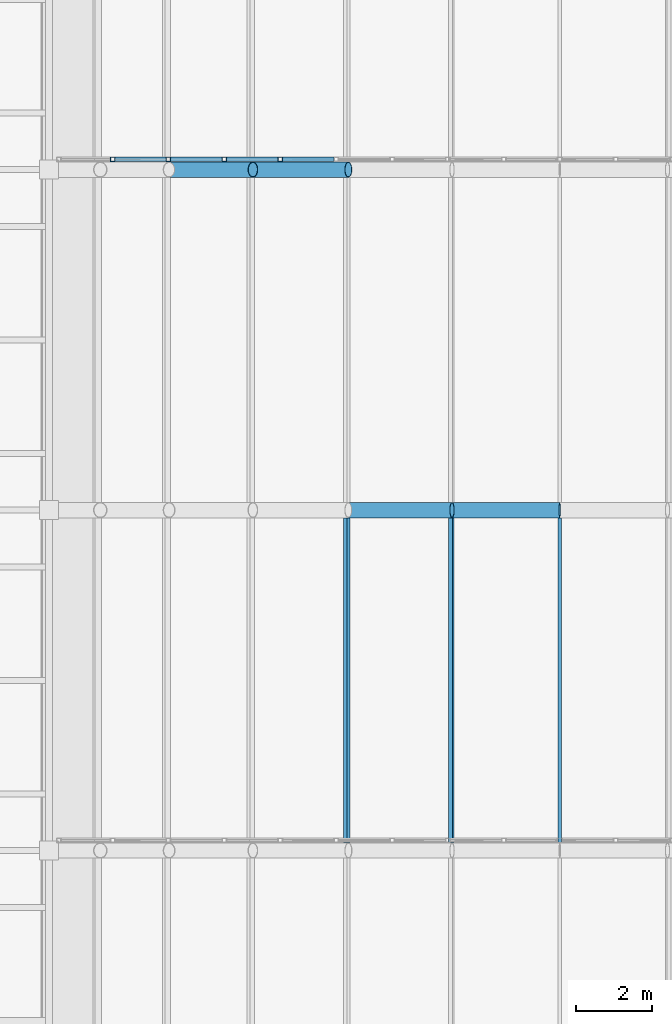
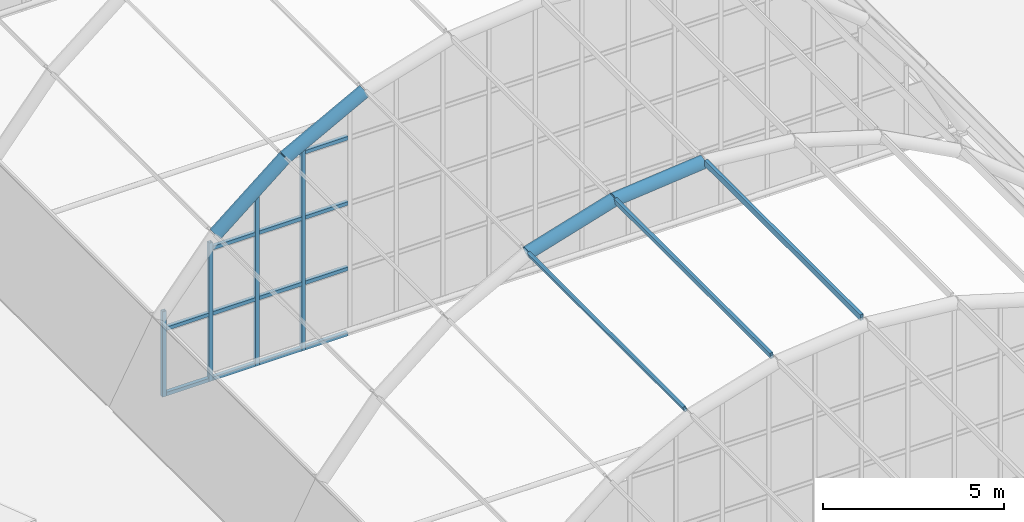
# One storey, part 33 of 121: 23 members, 1 element without a shape of its own.
"""IFC4 building model written with IfcOpenShell, lengths in metres."""

from ifc_helpers import new_model, si_unit, direction, frame, origin, origin_2d, place, context, subcontext, project, spatial, hollow_rectangle, hollow_circle, extrude, material, material_profile, profile_set, type_object, element, aggregate, save


model = new_model("IFC4")

# Units and contexts
model_context = context("Model", 3, precision=1e-05, world=origin(), true_north=direction((0.0, 1.0)))
body_context = subcontext(model_context, "Body", "Model", "MODEL_VIEW")
ifc_project = project(units=[si_unit("LENGTHUNIT", "METRE"), si_unit("AREAUNIT", "SQUARE_METRE"), si_unit("VOLUMEUNIT", "CUBIC_METRE"), si_unit("PLANEANGLEUNIT", "RADIAN"), si_unit("MASSUNIT", "GRAM", prefix="KILO")], contexts=[model_context])

# Site, building, storey
site_placement = place(None, origin())
site = spatial("IfcSite", under=ifc_project, at=site_placement, CompositionType="ELEMENT")
building_placement = place(site_placement, origin())
building = spatial("IfcBuilding", under=site, at=building_placement, Name="Golden Quay Civic Hall", CompositionType="ELEMENT")
storey_placement = place(building_placement, frame((0.0, 0.0, 18.60009765625)))
storey = spatial("IfcBuildingStorey", under=building, at=storey_placement, Name="L04", CompositionType="ELEMENT", Elevation=18.60009765625)

# Curtain wall, members
ifc_material_1 = material(Name="Fire-resisting glass and steel", Category="steel")
curtain_wall_type = type_object("IfcCurtainWallType", Name="Fire-resisting glazed curtain wall EI 120", PredefinedType="NOTDEFINED", material=ifc_material_1)
curtain_wall_placement = place(storey_placement, origin())
curtain_wall = element("IfcCurtainWall", 1, at=curtain_wall_placement, inside=storey, type_object=curtain_wall_type, Name="Curtain wall tympanum fire2", PredefinedType="NOTDEFINED")
ifc_material_2 = material(Name="Steel S355", Category="steel")
ifc_material_profile_1 = material_profile(ifc_material_2, hollow_rectangle(XDim=0.1201171875, YDim=0.1201171875, WallThickness=0.008056640625, at=origin_2d()), Name="SHS 120x120x8")
ifc_profile_set_1 = profile_set([ifc_material_profile_1], Name="Steel S355")
member_type_1 = type_object("IfcMemberType", Name="Fire-resisting steel mullion SHS 120x120x8", PredefinedType="MULLION", material=ifc_profile_set_1)
member_1_placement = place(storey_placement, frame((73.677734375, 36.27001953125, -0.25), z_axis=(0.0, 0.0, 1.0), x_axis=(0.0, 1.0, 0.0)))
member_1 = element("IfcMember", 2, at=member_1_placement, type_object=member_type_1, Name="Tympanum mullion 2", PredefinedType="MULLION", context=body_context, shape_type="SweptSolid", body=[
    extrude(hollow_rectangle(XDim=0.1201171875, YDim=0.1201171875, WallThickness=0.008056640625, at=origin_2d()), origin(), (0.0, 0.0, 1.0), 2.8720703125),
])
member_2_placement = place(storey_placement, frame((75.155517578125, 36.27001953125, -0.25), z_axis=(0.0, 0.0, 1.0), x_axis=(0.0, 1.0, 0.0)))
member_2 = element("IfcMember", 3, at=member_2_placement, type_object=member_type_1, Name="Tympanum mullion 3", PredefinedType="MULLION", context=body_context, shape_type="SweptSolid", body=[
    extrude(hollow_rectangle(XDim=0.1201171875, YDim=0.1201171875, WallThickness=0.008056640625, at=origin_2d()), origin(), (0.0, 0.0, 1.0), 4.6669921875),
])
member_3_placement = place(storey_placement, frame((76.63330078125, 36.27001953125, -0.25), z_axis=(0.0, 0.0, 1.0), x_axis=(0.0, 1.0, 0.0)))
member_3 = element("IfcMember", 4, at=member_3_placement, type_object=member_type_1, Name="Tympanum mullion 4", PredefinedType="MULLION", context=body_context, shape_type="SweptSolid", body=[
    extrude(hollow_rectangle(XDim=0.1201171875, YDim=0.1201171875, WallThickness=0.008056640625, at=origin_2d()), origin(), (0.0, 0.0, 1.0), 5.964599609375),
])
member_4_placement = place(storey_placement, frame((78.111083984375, 36.27001953125, -0.25), z_axis=(0.0, 0.0, 1.0), x_axis=(0.0, 1.0, 0.0)))
member_4 = element("IfcMember", 5, at=member_4_placement, type_object=member_type_1, Name="Tympanum mullion 5", PredefinedType="MULLION", context=body_context, shape_type="SweptSolid", body=[
    extrude(hollow_rectangle(XDim=0.1201171875, YDim=0.1201171875, WallThickness=0.008056640625, at=origin_2d()), origin(), (0.0, 0.0, 1.0), 7.017333984375),
])
ifc_material_3 = material(Name="Steel S355", Category="steel")
ifc_material_profile_2 = material_profile(ifc_material_3, hollow_rectangle(XDim=0.1201171875, YDim=0.1201171875, WallThickness=0.008056640625, at=origin_2d()), Name="SHS 120x120x8")
ifc_profile_set_2 = profile_set([ifc_material_profile_2], Name="Steel S355")
member_type_2 = type_object("IfcMemberType", Name="Fire-resisting steel transom SHS 120x120x8", PredefinedType="USERDEFINED", material=ifc_profile_set_2)
member_5_placement = place(storey_placement, frame((73.73779296875, 36.27001953125, -0.190185546875), z_axis=(1.0, 0.0, 0.0), x_axis=(0.0, 1.0, 0.0)))
member_5 = element("IfcMember", 6, at=member_5_placement, type_object=member_type_2, Name="Tympanum transom 2.1", ObjectType="TRANSOM", PredefinedType="USERDEFINED", context=body_context, shape_type="SweptSolid", body=[
    extrude(hollow_rectangle(XDim=0.1201171875, YDim=0.1201171875, WallThickness=0.008056640625, at=origin_2d()), origin(), (0.0, 0.0, 1.0), 1.357666015625),
])
member_6_placement = place(storey_placement, frame((73.73779296875, 36.27001953125, 2.010009765625), z_axis=(1.0, 0.0, 0.0), x_axis=(0.0, 1.0, 0.0)))
member_6 = element("IfcMember", 7, at=member_6_placement, type_object=member_type_2, Name="Tympanum transom 2.2", ObjectType="TRANSOM", PredefinedType="USERDEFINED", context=body_context, shape_type="SweptSolid", body=[
    extrude(hollow_rectangle(XDim=0.1201171875, YDim=0.1201171875, WallThickness=0.008056640625, at=origin_2d()), origin(), (0.0, 0.0, 1.0), 1.357666015625),
])
member_7_placement = place(storey_placement, frame((75.215576171875, 36.27001953125, -0.190185546875), z_axis=(1.0, 0.0, 0.0), x_axis=(0.0, 1.0, 0.0)))
member_7 = element("IfcMember", 8, at=member_7_placement, type_object=member_type_2, Name="Tympanum transom 3.1", ObjectType="TRANSOM", PredefinedType="USERDEFINED", context=body_context, shape_type="SweptSolid", body=[
    extrude(hollow_rectangle(XDim=0.1201171875, YDim=0.1201171875, WallThickness=0.008056640625, at=origin_2d()), origin(), (0.0, 0.0, 1.0), 1.357666015625),
])
member_8_placement = place(storey_placement, frame((75.215576171875, 36.27001953125, 2.010009765625), z_axis=(1.0, 0.0, 0.0), x_axis=(0.0, 1.0, 0.0)))
member_8 = element("IfcMember", 9, at=member_8_placement, type_object=member_type_2, Name="Tympanum transom 3.2", ObjectType="TRANSOM", PredefinedType="USERDEFINED", context=body_context, shape_type="SweptSolid", body=[
    extrude(hollow_rectangle(XDim=0.1201171875, YDim=0.1201171875, WallThickness=0.008056640625, at=origin_2d()), origin(), (0.0, 0.0, 1.0), 1.357666015625),
])
member_9_placement = place(storey_placement, frame((75.215576171875, 36.27001953125, 4.2099609375), z_axis=(1.0, 0.0, 0.0), x_axis=(0.0, 1.0, 0.0)))
member_9 = element("IfcMember", 10, at=member_9_placement, type_object=member_type_2, Name="Tympanum transom 3.3", ObjectType="TRANSOM", PredefinedType="USERDEFINED", context=body_context, shape_type="SweptSolid", body=[
    extrude(hollow_rectangle(XDim=0.1201171875, YDim=0.1201171875, WallThickness=0.008056640625, at=origin_2d()), origin(), (0.0, 0.0, 1.0), 1.357666015625),
])
member_10_placement = place(storey_placement, frame((76.693359375, 36.27001953125, -0.190185546875), z_axis=(1.0, 0.0, 0.0), x_axis=(0.0, 1.0, 0.0)))
member_10 = element("IfcMember", 11, at=member_10_placement, type_object=member_type_2, Name="Tympanum transom 4.1", ObjectType="TRANSOM", PredefinedType="USERDEFINED", context=body_context, shape_type="SweptSolid", body=[
    extrude(hollow_rectangle(XDim=0.1201171875, YDim=0.1201171875, WallThickness=0.008056640625, at=origin_2d()), origin(), (0.0, 0.0, 1.0), 1.357666015625),
])
member_11_placement = place(storey_placement, frame((76.693359375, 36.27001953125, 2.010009765625), z_axis=(1.0, 0.0, 0.0), x_axis=(0.0, 1.0, 0.0)))
member_11 = element("IfcMember", 12, at=member_11_placement, type_object=member_type_2, Name="Tympanum transom 4.2", ObjectType="TRANSOM", PredefinedType="USERDEFINED", context=body_context, shape_type="SweptSolid", body=[
    extrude(hollow_rectangle(XDim=0.1201171875, YDim=0.1201171875, WallThickness=0.008056640625, at=origin_2d()), origin(), (0.0, 0.0, 1.0), 1.357666015625),
])
member_12_placement = place(storey_placement, frame((76.693359375, 36.27001953125, 4.2099609375), z_axis=(1.0, 0.0, 0.0), x_axis=(0.0, 1.0, 0.0)))
member_12 = element("IfcMember", 13, at=member_12_placement, type_object=member_type_2, Name="Tympanum transom 4.3", ObjectType="TRANSOM", PredefinedType="USERDEFINED", context=body_context, shape_type="SweptSolid", body=[
    extrude(hollow_rectangle(XDim=0.1201171875, YDim=0.1201171875, WallThickness=0.008056640625, at=origin_2d()), origin(), (0.0, 0.0, 1.0), 1.357666015625),
])
member_13_placement = place(storey_placement, frame((78.171142578125, 36.27001953125, -0.190185546875), z_axis=(1.0, 0.0, 0.0), x_axis=(0.0, 1.0, 0.0)))
member_13 = element("IfcMember", 14, at=member_13_placement, type_object=member_type_2, Name="Tympanum transom 5.1", ObjectType="TRANSOM", PredefinedType="USERDEFINED", context=body_context, shape_type="SweptSolid", body=[
    extrude(hollow_rectangle(XDim=0.1201171875, YDim=0.1201171875, WallThickness=0.008056640625, at=origin_2d()), origin(), (0.0, 0.0, 1.0), 1.357666015625),
])
member_14_placement = place(storey_placement, frame((78.171142578125, 36.27001953125, 2.010009765625), z_axis=(1.0, 0.0, 0.0), x_axis=(0.0, 1.0, 0.0)))
member_14 = element("IfcMember", 15, at=member_14_placement, type_object=member_type_2, Name="Tympanum transom 5.2", ObjectType="TRANSOM", PredefinedType="USERDEFINED", context=body_context, shape_type="SweptSolid", body=[
    extrude(hollow_rectangle(XDim=0.1201171875, YDim=0.1201171875, WallThickness=0.008056640625, at=origin_2d()), origin(), (0.0, 0.0, 1.0), 1.357666015625),
])
member_15_placement = place(storey_placement, frame((78.171142578125, 36.27001953125, 4.2099609375), z_axis=(1.0, 0.0, 0.0), x_axis=(0.0, 1.0, 0.0)))
member_15 = element("IfcMember", 16, at=member_15_placement, type_object=member_type_2, Name="Tympanum transom 5.3", ObjectType="TRANSOM", PredefinedType="USERDEFINED", context=body_context, shape_type="SweptSolid", body=[
    extrude(hollow_rectangle(XDim=0.1201171875, YDim=0.1201171875, WallThickness=0.008056640625, at=origin_2d()), origin(), (0.0, 0.0, 1.0), 1.357666015625),
])
member_16_placement = place(storey_placement, frame((78.171142578125, 36.27001953125, 6.409912109375), z_axis=(1.0, 0.0, 0.0), x_axis=(0.0, 1.0, 0.0)))
member_16 = element("IfcMember", 17, at=member_16_placement, type_object=member_type_2, Name="Tympanum transom 5.4", ObjectType="TRANSOM", PredefinedType="USERDEFINED", context=body_context, shape_type="SweptSolid", body=[
    extrude(hollow_rectangle(XDim=0.1201171875, YDim=0.1201171875, WallThickness=0.008056640625, at=origin_2d()), origin(), (0.0, 0.0, 1.0), 1.357666015625),
])
aggregate(curtain_wall, [member_1, member_2, member_3, member_4, member_5, member_6, member_7, member_8, member_9, member_10, member_11, member_12, member_13, member_14, member_15, member_16])

# Members
ifc_material_4 = material(Name="Steel S355", Category="steel")
ifc_material_profile_3 = material_profile(ifc_material_4, hollow_circle(Radius=0.203125, WallThickness=0.01611328125, at=origin_2d()), Name="CHS 406.4x16")
ifc_profile_set_3 = profile_set([ifc_material_profile_3], Name="Steel S355")
member_type_3 = type_object("IfcMemberType", Name="Steel arch rib CHS 406.4x16", PredefinedType="USERDEFINED", material=ifc_profile_set_3)
member_17_placement = place(storey_placement, frame((79.91259765625, 27.0, 7.990478515625), z_axis=(0.957095401463, 0.0, 0.289773001673), x_axis=(0.0, 1.0, 0.0)))
element("IfcMember", 18, at=member_17_placement, inside=storey, type_object=member_type_3, Name="Arch rib 4 segment 5", ObjectType="ARCH RIB", PredefinedType="USERDEFINED", context=body_context, shape_type="SweptSolid", body=[
    extrude(hollow_circle(Radius=0.203125, WallThickness=0.01611328125, at=origin_2d()), origin(), (0.0, 0.0, 1.0), 2.862060546875),
])
for number, where, z_axis, x_axis, name in (
    (19, (82.65185546875, 27.0, 8.81982421875), (0.995201360973, 0.0, 0.097848102266), (0.0, 1.0, 0.0), "Arch rib 4 segment 6"),
    (20, (75.173095703125, 36.0, 4.830810546875), (0.773786223221, 0.0, 0.633446825514), (0.0, 1.0, 0.0), "Arch rib 5 segment 3"),
    (21, (77.387451171875, 36.0, 6.6435546875), (0.882326964097, 0.0, 0.470636939082), (0.0, 1.0, 0.0), "Arch rib 5 segment 4"),
):
    element("IfcMember", number, at=place(storey_placement, frame(where, z_axis=z_axis, x_axis=x_axis)), inside=storey, type_object=member_type_3, Name=name, ObjectType="ARCH RIB", PredefinedType="USERDEFINED", context=body_context, shape_type="SweptSolid", body=[
        extrude(hollow_circle(Radius=0.203125, WallThickness=0.01611328125, at=origin_2d()), origin(), (0.0, 0.0, 1.0), 2.86181640625),
    ])
ifc_material_5 = material(Name="Steel S355", Category="steel")
ifc_material_profile_4 = material_profile(ifc_material_5, hollow_rectangle(XDim=0.10009765625, YDim=0.199951171875, WallThickness=0.008056640625, at=origin_2d()), Name="RHS 200x100x8")
ifc_profile_set_4 = profile_set([ifc_material_profile_4], Name="Steel S355")
member_type_4 = type_object("IfcMemberType", Name="Steel purlin RHS 200x100x8", PredefinedType="PURLIN", material=ifc_profile_set_4)
for number, where, z_axis, x_axis, name in (
    (22, (79.873291015625, 18.203125, 8.0859375), (0.0, 1.0, 0.0), (-0.924146170615, 0.0, -0.382039075668), "Purlin 3.5"),
    (23, (82.631591796875, 18.203125, 8.921142578125), (0.0, 1.0, 0.0), (-0.98085324351, 0.0, -0.194748336824), "Purlin 3.6"),
    (24, (85.5, 18.203125, 9.203125), (0.0, 1.0, 0.0), (-1.0, 0.0, 0.0), "Purlin 3.7"),
):
    element("IfcMember", number, at=place(storey_placement, frame(where, z_axis=z_axis, x_axis=x_axis)), inside=storey, type_object=member_type_4, Name=name, PredefinedType="PURLIN", context=body_context, shape_type="SweptSolid", body=[
        extrude(hollow_rectangle(XDim=0.10009765625, YDim=0.199951171875, WallThickness=0.008056640625, at=origin_2d()), origin(), (0.0, 0.0, 1.0), 8.59375),
    ])

save(model, "model.ifc")
